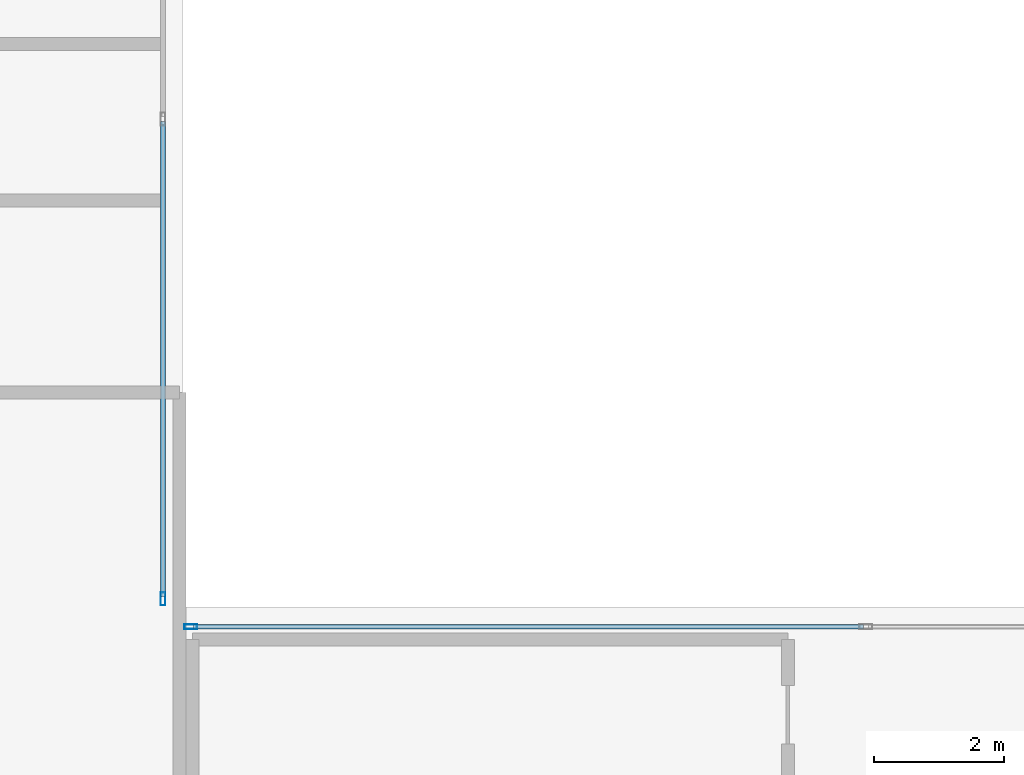
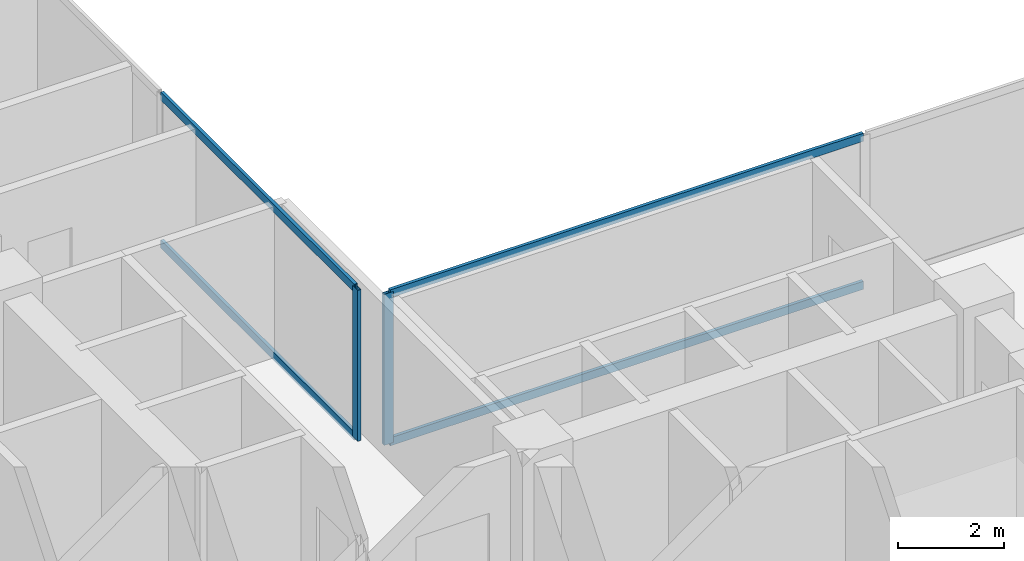
# One storey, part 9 of 28: 6 members, 2 elements without a shape of their own.
"""IFC4 building model written with IfcOpenShell, lengths in metres."""

from ifc_helpers import new_model, si_unit, direction, frame, origin, origin_2d, place, context, subcontext, project, spatial, hollow_rectangle, extrude, material, layer, layer_set, material_profile, profile_set, type_object, element, aggregate, save


model = new_model("IFC4")

# Units and contexts
model_context = context("Model", 3, precision=1e-05, world=origin(), true_north=direction((0.0, 1.0)))
body_context = subcontext(model_context, "Body", "Model", "MODEL_VIEW")
ifc_project = project(units=[si_unit("LENGTHUNIT", "METRE"), si_unit("AREAUNIT", "SQUARE_METRE"), si_unit("VOLUMEUNIT", "CUBIC_METRE"), si_unit("PLANEANGLEUNIT", "RADIAN"), si_unit("MASSUNIT", "GRAM", prefix="KILO"), si_unit("THERMODYNAMICTEMPERATUREUNIT", "KELVIN"), si_unit("POWERUNIT", "WATT")], contexts=[model_context])

# Site, building, storey
site_placement = place(None, origin())
site = spatial("IfcSite", under=ifc_project, at=site_placement, CompositionType="ELEMENT")
building_placement = place(site_placement, origin())
building = spatial("IfcBuilding", under=site, at=building_placement, Name="Svarakhadi Broadcast Tower", CompositionType="ELEMENT")
storey_placement = place(building_placement, frame((0.0, 0.0, 107.10009765625)))
storey = spatial("IfcBuildingStorey", under=building, at=storey_placement, Name="L25", CompositionType="ELEMENT", Elevation=107.10009765625)

# Curtain wall, member
ifc_material = material(Name="Anodised Bronze Aluminium AA 6063-T6", Category="aluminium")
ifc_layer = layer(ifc_material, 0.199951171875)
ifc_layer_set = layer_set([ifc_layer], Name="Anodised Bronze Aluminium AA 6063-T6")
curtain_wall_type = type_object("IfcCurtainWallType", Name="CW_Sys_03", PredefinedType="NOTDEFINED", material=ifc_layer_set)
curtain_wall_1_placement = place(storey_placement, origin())
curtain_wall_1 = element("IfcCurtainWall", 1, at=curtain_wall_1_placement, inside=storey, type_object=curtain_wall_type, Name="L25 Unitised Facade Curtain Wall 09", PredefinedType="NOTDEFINED")
ifc_material_profile_1 = material_profile(ifc_material, hollow_rectangle(XDim=0.074951171875, YDim=0.199951171875, WallThickness=0.005615234375, at=origin_2d()), Name="ALU MULLION 200x75x6")
ifc_profile_set_1 = profile_set([ifc_material_profile_1], Name="Anodised Bronze Aluminium AA 6063-T6")
member_type_1 = type_object("IfcMemberType", Name="CW_Sys_03_Mul", PredefinedType="MULLION", material=ifc_profile_set_1)
member_1_placement = place(storey_placement, frame((23.699951171875, 24.12744140625, 0.0), z_axis=(0.0, 0.0, 1.0), x_axis=(1.0, 0.0, 0.0)))
member_1 = element("IfcMember", 2, at=member_1_placement, type_object=member_type_1, Name="CW-03 mullion 3", PredefinedType="MULLION", context=body_context, shape_type="SweptSolid", body=[
    extrude(hollow_rectangle(XDim=0.074951171875, YDim=0.199951171875, WallThickness=0.005615234375, at=origin_2d()), origin(), (0.0, 0.0, 1.0), 3.474853515625),
])

curtain_wall_2_placement = place(storey_placement, origin())
curtain_wall_2 = element("IfcCurtainWall", 3, at=curtain_wall_2_placement, inside=storey, type_object=curtain_wall_type, Name="L25 Unitised Facade Curtain Wall 10", PredefinedType="NOTDEFINED")
member_2_placement = place(storey_placement, frame((24.12744140625, 23.699951171875, 0.0), z_axis=(0.0, 0.0, 1.0), x_axis=(0.0, 1.0, 0.0)))
member_2 = element("IfcMember", 4, at=member_2_placement, type_object=member_type_1, Name="CW-03 mullion 1", PredefinedType="MULLION", context=body_context, shape_type="SweptSolid", body=[
    extrude(hollow_rectangle(XDim=0.074951171875, YDim=0.199951171875, WallThickness=0.005615234375, at=origin_2d()), origin(), (0.0, 0.0, 1.0), 3.474853515625),
])

# Member
ifc_material_profile_2 = material_profile(ifc_material, hollow_rectangle(XDim=0.070068359375, YDim=0.18505859375, WallThickness=0.0048828125, at=origin_2d()), Name="ALU TRANSOM 185x70x5")
ifc_profile_set_2 = profile_set([ifc_material_profile_2], Name="Anodised Bronze Aluminium AA 6063-T6")
member_type_2 = type_object("IfcMemberType", Name="CW_Sys_03_Trn", PredefinedType="USERDEFINED", material=ifc_profile_set_2)
member_3_placement = place(storey_placement, frame((23.699951171875, 31.46240234375, 0.034912109375), z_axis=(0.0, -1.0, 0.0), x_axis=(1.0, 0.0, 0.0)))
member_3 = element("IfcMember", 5, at=member_3_placement, type_object=member_type_2, Name="CW-03 transom 2.1", ObjectType="TRANSOM", PredefinedType="USERDEFINED", context=body_context, shape_type="SweptSolid", body=[
    extrude(hollow_rectangle(XDim=0.070068359375, YDim=0.18505859375, WallThickness=0.0048828125, at=origin_2d()), origin(), (0.0, 0.0, 1.0), 7.29736328125),
])

member_4_placement = place(storey_placement, frame((23.699951171875, 31.46240234375, 3.43994140625), z_axis=(0.0, -1.0, 0.0), x_axis=(1.0, 0.0, 0.0)))
member_4 = element("IfcMember", 6, at=member_4_placement, type_object=member_type_2, Name="CW-03 transom 2.2", ObjectType="TRANSOM", PredefinedType="USERDEFINED", context=body_context, shape_type="SweptSolid", body=[
    extrude(hollow_rectangle(XDim=0.070068359375, YDim=0.18505859375, WallThickness=0.0048828125, at=origin_2d()), origin(), (0.0, 0.0, 1.0), 7.29736328125),
])

aggregate(curtain_wall_1, [member_1, member_3, member_4])

member_5_placement = place(storey_placement, frame((24.1650390625, 23.699951171875, 0.034912109375), z_axis=(1.0, 0.0, 0.0), x_axis=(0.0, 1.0, 0.0)))
member_5 = element("IfcMember", 7, at=member_5_placement, type_object=member_type_2, Name="CW-03 transom 1.1", ObjectType="TRANSOM", PredefinedType="USERDEFINED", context=body_context, shape_type="SweptSolid", body=[
    extrude(hollow_rectangle(XDim=0.070068359375, YDim=0.18505859375, WallThickness=0.0048828125, at=origin_2d()), origin(), (0.0, 0.0, 1.0), 10.29736328125),
])

member_6_placement = place(storey_placement, frame((24.1650390625, 23.699951171875, 3.43994140625), z_axis=(1.0, 0.0, 0.0), x_axis=(0.0, 1.0, 0.0)))
member_6 = element("IfcMember", 8, at=member_6_placement, type_object=member_type_2, Name="CW-03 transom 1.2", ObjectType="TRANSOM", PredefinedType="USERDEFINED", context=body_context, shape_type="SweptSolid", body=[
    extrude(hollow_rectangle(XDim=0.070068359375, YDim=0.18505859375, WallThickness=0.0048828125, at=origin_2d()), origin(), (0.0, 0.0, 1.0), 10.29736328125),
])

aggregate(curtain_wall_2, [member_2, member_5, member_6])

save(model, "model.ifc")
